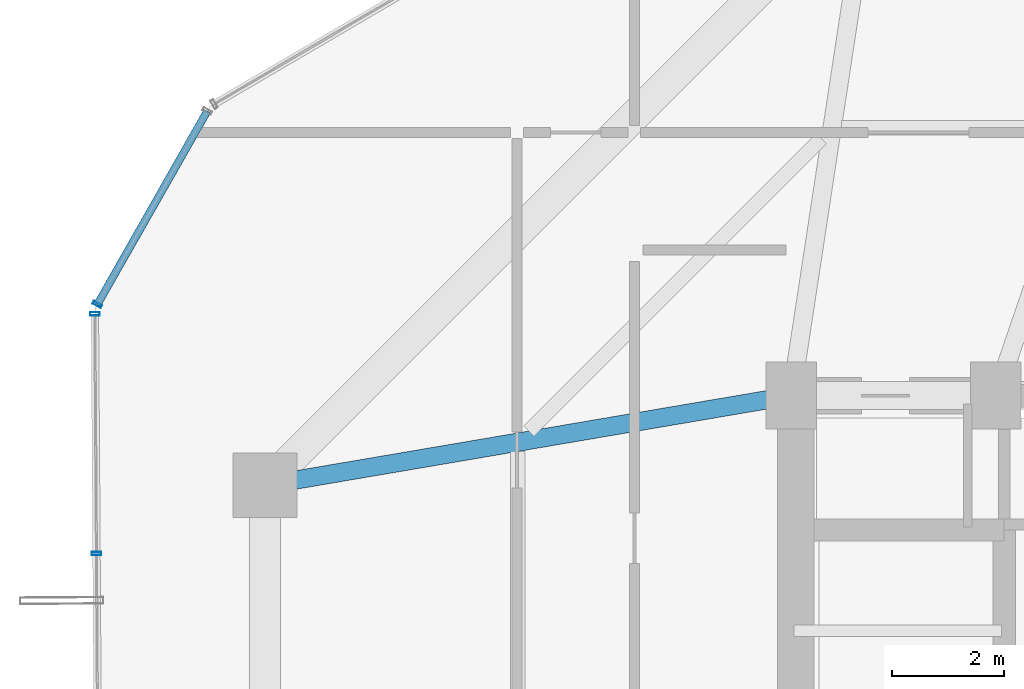
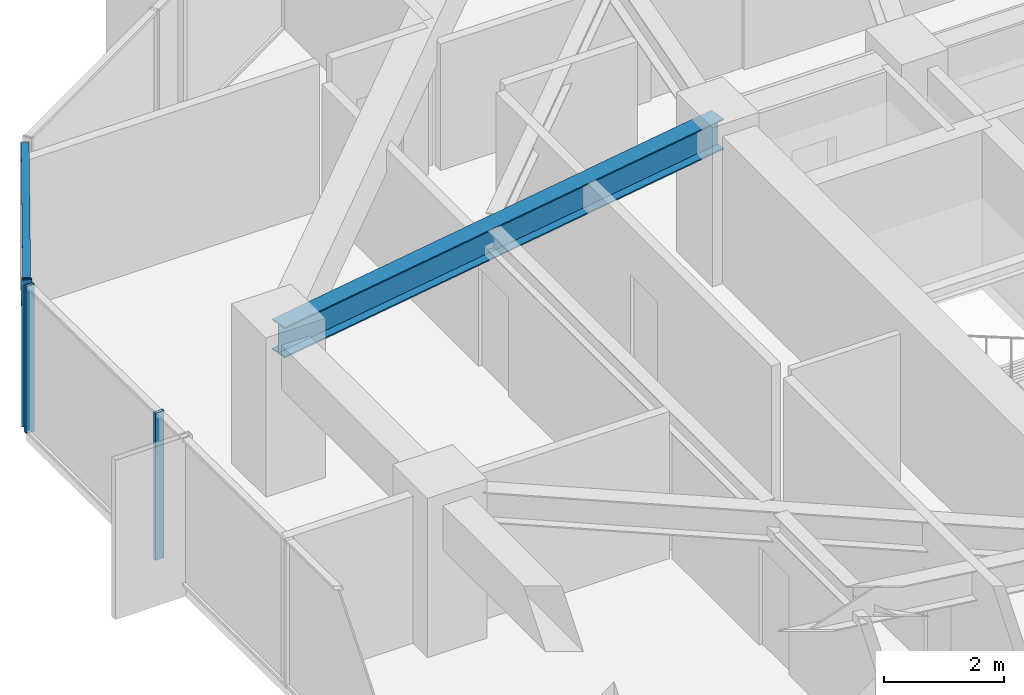
# One storey, part 11 of 30: 5 members, 1 beam, 2 elements without a shape of their own.
"""IFC4 building model written with IfcOpenShell, lengths in metres."""

import ifcopenshell
import ifcopenshell.guid

model = None  # the IFC model being written
_history = None  # IfcOwnerHistory: only IFC2X3 demands one
_inside = {}  # id of a spatial element -> (the spatial element, [elements in it])
_under = {}  # id of a project, library or spatial element -> (it, [spatial elements below it])
_declared = {}  # id of a project -> (the project, [libraries it declares])
_typed = {}  # id of a type object -> (the type object, [elements of that type])
_made_of = {}  # id of a material, layer set ... -> (it, [elements and type objects made of it])


def new_model(schema):
    """Start an empty IFC model of exactly this schema.

    Asked for "IFC4X3", IfcOpenShell would pick the latest addendum, in which some entities
    have other attributes; the version numbers below select the first issue.
    IFC2X3 requires an IfcOwnerHistory on every rooted entity: one is made here for all.
    """
    global model, _history
    if schema == "IFC4X3":
        model = ifcopenshell.file(schema_version=(4, 3, 0, 0))
    else:
        model = ifcopenshell.file(schema=schema)
    _inside.clear()
    _under.clear()
    _declared.clear()
    _typed.clear()
    _made_of.clear()
    _history = None
    if model.schema == "IFC2X3":
        org = make("IfcOrganization", Name="unknown")
        user = make(
            "IfcPersonAndOrganization",
            ThePerson=make("IfcPerson", FamilyName="unknown"),
            TheOrganization=org,
        )
        app = make(
            "IfcApplication",
            ApplicationDeveloper=org,
            Version="unknown",
            ApplicationFullName="unknown",
            ApplicationIdentifier="unknown",
        )
        _history = make(
            "IfcOwnerHistory",
            OwningUser=user,
            OwningApplication=app,
            ChangeAction="ADDED",
            CreationDate=0,
        )
    return model


def make(cls, **values):
    """One entity of the class cls with the attributes given. An attribute that is None is left unset."""
    return model.create_entity(
        cls, **{name: value for name, value in values.items() if value is not None}
    )


def rooted(cls, **values):
    """An entity with a GlobalId (a new one), such as an element, a storey or a relation."""
    return make(cls, GlobalId=ifcopenshell.guid.new(), OwnerHistory=_history, **values)


def si_unit(unit_type, name, prefix=None):
    """IfcSIUnit, for example si_unit("LENGTHUNIT", "METRE", prefix="MILLI")."""
    return make("IfcSIUnit", UnitType=unit_type, Prefix=prefix, Name=name)


def assignment(units):
    """IfcUnitAssignment: the units of a project."""
    return None if units is None else make("IfcUnitAssignment", Units=units)


def point(xyz):
    """IfcCartesianPoint."""
    return None if xyz is None else make("IfcCartesianPoint", Coordinates=xyz)


def direction(xyz):
    """IfcDirection."""
    return None if xyz is None else make("IfcDirection", DirectionRatios=xyz)


def frame(location, z_axis=None, x_axis=None):
    """IfcAxis2Placement3D, a coordinate frame: its origin and axes. An axis left out is left unset."""
    return make(
        "IfcAxis2Placement3D",
        Location=point(location),
        Axis=direction(z_axis),
        RefDirection=direction(x_axis),
    )


def frame_2d(location, x_axis=None):
    """IfcAxis2Placement2D, a coordinate frame in the plane: its origin and x axis."""
    return make(
        "IfcAxis2Placement2D", Location=point(location), RefDirection=direction(x_axis)
    )


def origin():
    """The frame at (0, 0, 0) with its axes left unset."""
    return frame((0.0, 0.0, 0.0))


def origin_2d():
    """The frame at (0, 0) in the plane with its x axis left unset."""
    return frame_2d((0.0, 0.0))


def place(relative_to, where):
    """IfcLocalPlacement: puts the frame where relative to a parent placement (None: the world)."""
    return make(
        "IfcLocalPlacement", PlacementRelTo=relative_to, RelativePlacement=where
    )


def context(
    kind, dimensions, precision=None, world=None, true_north=None, identifier=None
):
    """IfcGeometricRepresentationContext, for example the 3D "Model" context."""
    return make(
        "IfcGeometricRepresentationContext",
        ContextIdentifier=identifier,
        ContextType=kind,
        CoordinateSpaceDimension=dimensions,
        Precision=precision,
        WorldCoordinateSystem=world,
        TrueNorth=true_north,
    )


def subcontext(parent, identifier, kind, view, scale=None):
    """IfcGeometricRepresentationSubContext, for example "Body" below "Model"."""
    return make(
        "IfcGeometricRepresentationSubContext",
        ContextIdentifier=identifier,
        ContextType=kind,
        ParentContext=parent,
        TargetScale=scale,
        TargetView=view,
    )


def project(units=None, contexts=None):
    """IfcProject with its units and contexts."""
    return rooted(
        "IfcProject",
        Name="project",
        RepresentationContexts=contexts,
        UnitsInContext=assignment(units),
    )


def spatial(cls, under=None, at=None, **own):
    """A site, building, storey or space (cls), placed at a placement, below another one or the project."""
    s = rooted(cls, ObjectPlacement=at, **own)
    if under is not None:
        _under.setdefault(under.id(), (under, []))[1].append(s)
    return s


def profile(cls, at=None, kind="AREA", **sizes):
    """A parametric profile (cls). Its sizes go by their IFC names, for example OverallWidth=200.0."""
    return make(cls, ProfileType=kind, Position=at, **sizes)


def hollow_rectangle(**sizes):
    """IfcRectangleHollowProfileDef."""
    return profile("IfcRectangleHollowProfileDef", **sizes)


def i_section(**sizes):
    """IfcIShapeProfileDef."""
    return profile("IfcIShapeProfileDef", **sizes)


def extrude(swept, where, along, depth):
    """IfcExtrudedAreaSolid: the profile swept, set in the frame where, extruded along a direction by depth."""
    return make(
        "IfcExtrudedAreaSolid",
        SweptArea=swept,
        Position=where,
        ExtrudedDirection=direction(along),
        Depth=depth,
    )


def shape(context_of_items, identifier, shape_type, items):
    """IfcShapeRepresentation: the items that make up one representation, for example the "Body"."""
    return make(
        "IfcShapeRepresentation",
        ContextOfItems=context_of_items,
        RepresentationIdentifier=identifier,
        RepresentationType=shape_type,
        Items=items,
    )


def source(mapping_origin, context_of_items, identifier, shape_type, items):
    """IfcRepresentationMap: a shape defined once, which mapped items show again and again."""
    return make(
        "IfcRepresentationMap",
        MappingOrigin=mapping_origin,
        MappedRepresentation=shape(context_of_items, identifier, shape_type, items),
    )


def transform(
    local_origin,
    x_axis=None,
    y_axis=None,
    z_axis=None,
    scale=None,
    scale2=None,
    scale3=None,
    uniform=True,
):
    """IfcCartesianTransformationOperator3D, or its non-uniform kind. x_axis, y_axis, z_axis: its Axis1, 2, 3."""
    if uniform:
        return make(
            "IfcCartesianTransformationOperator3D",
            Axis1=direction(x_axis),
            Axis2=direction(y_axis),
            LocalOrigin=point(local_origin),
            Scale=scale,
            Axis3=direction(z_axis),
        )
    return make(
        "IfcCartesianTransformationOperator3DnonUniform",
        Axis1=direction(x_axis),
        Axis2=direction(y_axis),
        LocalOrigin=point(local_origin),
        Scale=scale,
        Axis3=direction(z_axis),
        Scale2=scale2,
        Scale3=scale3,
    )


def mapped(mapping_source, mapping_target):
    """IfcMappedItem: shows the shape of a source again, moved by a transform."""
    return make(
        "IfcMappedItem", MappingSource=mapping_source, MappingTarget=mapping_target
    )


def material(Name=None, Category=None):
    """IfcMaterial."""
    return make("IfcMaterial", Name=Name, Category=Category)


def layer(
    of_material, thickness, ventilated=None, Name=None, Category=None, Priority=None
):
    """IfcMaterialLayer: one layer of a wall or slab, of a material (None: an air gap)."""
    return make(
        "IfcMaterialLayer",
        Material=of_material,
        LayerThickness=thickness,
        IsVentilated=ventilated,
        Name=Name,
        Category=Category,
        Priority=Priority,
    )


def layer_set(layers, Name=None):
    """IfcMaterialLayerSet."""
    return make("IfcMaterialLayerSet", MaterialLayers=layers, LayerSetName=Name)


def material_profile(
    of_material, cross_section, Name=None, Category=None, Priority=None
):
    """IfcMaterialProfile: a cross section and its material."""
    return make(
        "IfcMaterialProfile",
        Name=Name,
        Material=of_material,
        Profile=cross_section,
        Priority=Priority,
        Category=Category,
    )


def profile_set(profiles, Name=None, composite=None):
    """IfcMaterialProfileSet."""
    return make(
        "IfcMaterialProfileSet",
        Name=Name,
        MaterialProfiles=profiles,
        CompositeProfile=composite,
    )


def made_of(thing, what):
    """Note that an element or type object is made of a material, layer set ...; save() writes the relation."""
    if what is not None:
        _made_of.setdefault(what.id(), (what, []))[1].append(thing)
    return thing


def type_object(cls, material=None, **own):
    """A type object (cls), such as IfcWallType, which elements share."""
    return made_of(rooted(cls, **own), material)


def element(
    cls,
    number,
    at=None,
    inside=None,
    cuts=None,
    type_object=None,
    material=None,
    context=None,
    identifier="Body",
    shape_type=None,
    held_by="IfcProductDefinitionShape",
    body=None,
    shapes=None,
    **own,
):
    """One element of the class cls, such as IfcWall. Its Tag is "e" and its number.

    at: its placement. inside: the storey or other place that contains it. cuts: it is an
    opening in that element (IfcRelVoidsElement). A single representation is given by context,
    identifier, shape_type and body (its items); several are given by shapes. held_by: the class
    of the entity that holds the representations. save() writes the other relations.
    """
    e = rooted(cls, Tag="e%d" % number, ObjectPlacement=at, **own)
    if body is not None:
        shapes = [shape(context, identifier, shape_type, body)]
    if shapes is not None:
        e.Representation = make(held_by, Representations=shapes)
    if inside is not None:
        _inside.setdefault(inside.id(), (inside, []))[1].append(e)
    if cuts is not None:
        rooted(
            "IfcRelVoidsElement", RelatingBuildingElement=cuts, RelatedOpeningElement=e
        )
    if type_object is not None:
        _typed.setdefault(type_object.id(), (type_object, []))[1].append(e)
    return made_of(e, material)


def aggregate(whole, parts):
    """IfcRelAggregates: a whole, such as a stair, and the parts it consists of."""
    return rooted("IfcRelAggregates", RelatingObject=whole, RelatedObjects=parts)


def save(model, path):
    """Write the relations noted so far, then the file.

    IfcRelAggregates (storeys below a building ...), IfcRelContainedInSpatialStructure (elements
    in a storey), IfcRelDefinesByType, IfcRelAssociatesMaterial and IfcRelDeclares: one each for
    every whole, place, type object, material and project.
    """
    for whole, parts in _under.values():
        aggregate(whole, parts)
    for where, things in _inside.values():
        rooted(
            "IfcRelContainedInSpatialStructure",
            RelatedElements=things,
            RelatingStructure=where,
        )
    for kind, things in _typed.values():
        rooted("IfcRelDefinesByType", RelatedObjects=things, RelatingType=kind)
    for what, things in _made_of.values():
        rooted("IfcRelAssociatesMaterial", RelatedObjects=things, RelatingMaterial=what)
    for by, libraries in _declared.values():
        rooted("IfcRelDeclares", RelatingContext=by, RelatedDefinitions=libraries)
    model.write(path)


model = new_model("IFC4")

# Units and contexts
model_context = context("Model", 3, precision=1e-05, world=origin(), true_north=direction((0.0, 1.0)))
body_context = subcontext(model_context, "Body", "Model", "MODEL_VIEW")
ifc_project = project(units=[si_unit("LENGTHUNIT", "METRE"), si_unit("AREAUNIT", "SQUARE_METRE"), si_unit("VOLUMEUNIT", "CUBIC_METRE"), si_unit("PLANEANGLEUNIT", "RADIAN"), si_unit("MASSUNIT", "GRAM", prefix="KILO")], contexts=[model_context])

# Site, building, storey
site_placement = place(None, origin())
site = spatial("IfcSite", under=ifc_project, at=site_placement, CompositionType="ELEMENT")
building_placement = place(site_placement, origin())
building = spatial("IfcBuilding", under=site, at=building_placement, Name="Veraguas Prism Commons", CompositionType="ELEMENT")
storey_placement = place(building_placement, frame((0.0, 0.0, 129.5)))
storey = spatial("IfcBuildingStorey", under=building, at=storey_placement, Name="L36", CompositionType="ELEMENT", Elevation=129.5)

# Beam
ifc_material_1 = material(Name="Steel ASTM A992 Grade 50", Category="steel")
ifc_material_profile_1 = material_profile(ifc_material_1, i_section(OverallWidth=0.327880859375, OverallDepth=0.6220703125, WebThickness=0.015380859375, FlangeThickness=0.0244140625, at=origin_2d()), Name="W610X195")
ifc_profile_set_1 = profile_set([ifc_material_profile_1], Name="Steel ASTM A992 Grade 50")
beam_type = type_object("IfcBeamType", Name="Zone 2 Radial Girder W610x195", PredefinedType="BEAM", material=ifc_profile_set_1)
beam_placement = place(storey_placement, frame((7.800048828125, 29.39990234375, 2.68896484375), z_axis=(0.985819187151, 0.1678109956, 0.0), x_axis=(-0.1678109956, 0.985819187151, 0.0)))
element("IfcBeam", 1, at=beam_placement, inside=storey, type_object=beam_type, Name="Radial Floor Girder L36-RD07", PredefinedType="BEAM", context=body_context, shape_type="SweptSolid", body=[
    extrude(i_section(OverallWidth=0.327880859375, OverallDepth=0.6220703125, WebThickness=0.015380859375, FlangeThickness=0.0244140625, at=origin_2d()), origin(), (0.0, 0.0, 1.0), 9.53515625),
])

# Curtain wall, members
ifc_material_2 = material(Name="Anodised aluminium EN AW-6063 T6", Category="aluminium")
ifc_layer = layer(ifc_material_2, 0.169921875, Name="Unitised Flush Curtain Wall Zone 2", Category="aluminium")
ifc_layer_set = layer_set([ifc_layer], Name="Anodised aluminium EN AW-6063 T6")
curtain_wall_type = type_object("IfcCurtainWallType", Name="Unitised Flush Curtain Wall Zone 2", PredefinedType="NOTDEFINED", material=ifc_layer_set)
curtain_wall_1_placement = place(storey_placement, origin())
curtain_wall_1 = element("IfcCurtainWall", 2, at=curtain_wall_1_placement, inside=storey, type_object=curtain_wall_type, Name="Tower Facade Curtain Wall L36-F3", PredefinedType="NOTDEFINED")
ifc_material_profile_2 = material_profile(ifc_material_2, hollow_rectangle(XDim=0.06005859375, YDim=0.169921875, WallThickness=0.00390625, at=origin_2d()), Name="AL60X170X4")
ifc_profile_set_2 = profile_set([ifc_material_profile_2], Name="Anodised aluminium EN AW-6063 T6")
member_type_1 = type_object("IfcMemberType", Name="Curtain Wall Mullion Lower AL 60x170x4", PredefinedType="MULLION", material=ifc_profile_set_2)
shared_shape_1 = source(origin(), body_context, "Body", "SweptSolid", [
    extrude(hollow_rectangle(XDim=0.06005859375, YDim=0.169921875, WallThickness=0.00390625, at=origin_2d()), origin(), (0.0, 0.0, 1.0), 3.0),
])
member_1_placement = place(storey_placement, frame((4.760986328125, 32.459716796875, 0.0), z_axis=(0.0, 0.0, 1.0), x_axis=(0.006632202536, -0.999978006703, 0.0)))
member_1 = element("IfcMember", 3, at=member_1_placement, type_object=member_type_1, Name="CW-Z2 Mullion 1", PredefinedType="MULLION", context=body_context, shape_type="MappedRepresentation", body=[
    mapped(shared_shape_1, transform((0.0, 0.0, 0.0), scale=1.0)),
])
member_2_placement = place(storey_placement, frame((4.789306640625, 28.181396484375, 0.0), z_axis=(0.0, 0.0, 1.0), x_axis=(0.006632202536, -0.999978006703, 0.0)))
member_2 = element("IfcMember", 4, at=member_2_placement, type_object=member_type_1, Name="CW-Z2 Mullion 2", PredefinedType="MULLION", context=body_context, shape_type="MappedRepresentation", body=[
    mapped(shared_shape_1, transform((0.0, 0.0, 0.0), scale=1.0)),
])
aggregate(curtain_wall_1, [member_1, member_2])

curtain_wall_2_placement = place(storey_placement, origin())
curtain_wall_2 = element("IfcCurtainWall", 5, at=curtain_wall_2_placement, inside=storey, type_object=curtain_wall_type, Name="Chamfer Curtain Wall L36-C3", PredefinedType="NOTDEFINED")
member_3_placement = place(storey_placement, frame((4.804931640625, 32.628173828125, 0.0), z_axis=(0.0, 0.0, 1.0), x_axis=(-0.494243830218, -0.869323320918, 0.0)))
member_3 = element("IfcMember", 6, at=member_3_placement, type_object=member_type_1, Name="CW-Z2 Mullion 2", PredefinedType="MULLION", context=body_context, shape_type="MappedRepresentation", body=[
    mapped(shared_shape_1, transform((0.0, 0.0, 0.0), scale=1.0)),
])
ifc_material_profile_3 = material_profile(ifc_material_2, hollow_rectangle(XDim=0.054931640625, YDim=0.135009765625, WallThickness=0.0029296875, at=origin_2d()), Name="AL55X135X3")
ifc_profile_set_3 = profile_set([ifc_material_profile_3], Name="Anodised aluminium EN AW-6063 T6")
member_type_2 = type_object("IfcMemberType", Name="Curtain Wall Transom Standard AL 55x135x3", PredefinedType="USERDEFINED", material=ifc_profile_set_3)
shared_shape_2 = source(origin(), body_context, "Body", "SweptSolid", [
    extrude(hollow_rectangle(XDim=0.054931640625, YDim=0.135009765625, WallThickness=0.0029296875, at=origin_2d()), origin(), (0.0, 0.0, 1.0), 3.97314453125),
])
member_4_placement = place(storey_placement, frame((6.7685546875, 36.08203125, 0.027587890625), z_axis=(-0.494238488475, -0.869326357883, 0.0), x_axis=(0.0, 0.0, 1.0)))
member_4 = element("IfcMember", 7, at=member_4_placement, type_object=member_type_2, Name="CW-Z2 Transom 1", ObjectType="TRANSOM", PredefinedType="USERDEFINED", context=body_context, shape_type="MappedRepresentation", body=[
    mapped(shared_shape_2, transform((0.0, 0.0, 0.0), scale=1.0)),
])
member_5_placement = place(storey_placement, frame((6.7685546875, 36.08203125, 2.972412109375), z_axis=(-0.494238488475, -0.869326357883, 0.0), x_axis=(0.0, 0.0, 1.0)))
member_5 = element("IfcMember", 8, at=member_5_placement, type_object=member_type_2, Name="CW-Z2 Transom 2", ObjectType="TRANSOM", PredefinedType="USERDEFINED", context=body_context, shape_type="MappedRepresentation", body=[
    mapped(shared_shape_2, transform((0.0, 0.0, 0.0), scale=1.0)),
])
aggregate(curtain_wall_2, [member_3, member_4, member_5])

save(model, "model.ifc")
